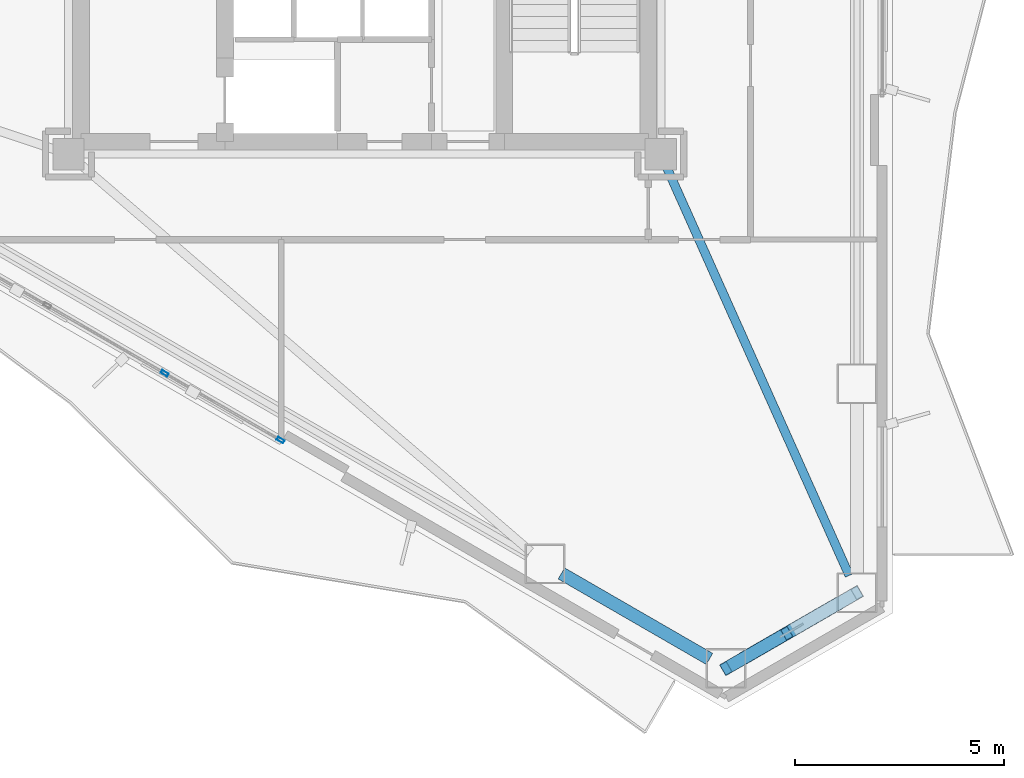
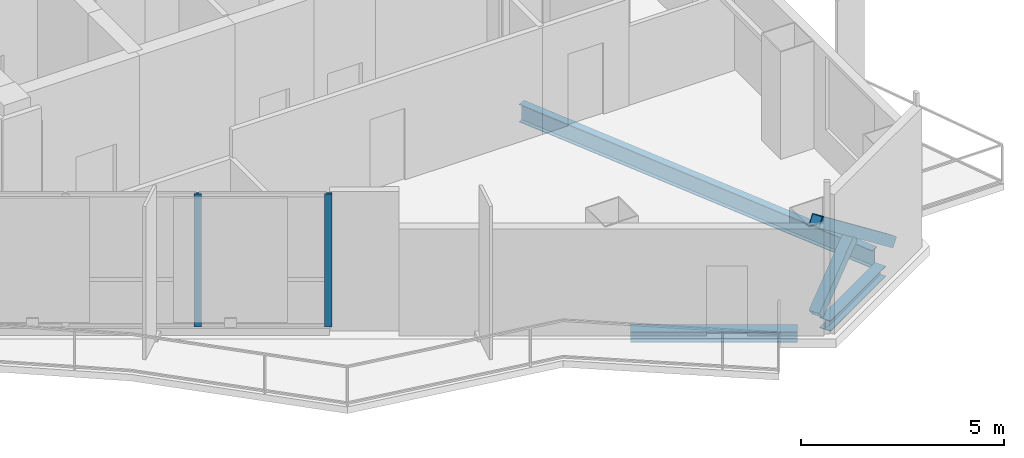
# One storey, part 4 of 18: 4 members, 3 beams, 1 element without a shape of its own.
"""IFC4 building model written with IfcOpenShell, lengths in metres."""

from ifc_helpers import new_model, si_unit, direction, frame, origin, origin_2d, place, context, subcontext, project, spatial, hollow_rectangle, i_section, extrude, material, layer, layer_set, material_profile, profile_set, type_object, element, aggregate, save


model = new_model("IFC4")

# Units and contexts
model_context = context("Model", 3, precision=1e-05, world=origin(), true_north=direction((0.0, 1.0)))
body_context = subcontext(model_context, "Body", "Model", "MODEL_VIEW")
ifc_project = project(units=[si_unit("LENGTHUNIT", "METRE"), si_unit("AREAUNIT", "SQUARE_METRE"), si_unit("VOLUMEUNIT", "CUBIC_METRE"), si_unit("PLANEANGLEUNIT", "RADIAN"), si_unit("MASSUNIT", "GRAM", prefix="KILO")], contexts=[model_context])

# Site, building, storey
site_placement = place(None, origin())
site = spatial("IfcSite", under=ifc_project, at=site_placement, CompositionType="ELEMENT")
building_placement = place(site_placement, origin())
building = spatial("IfcBuilding", under=site, at=building_placement, Name="Mersakhor Tower and Convention Hall", CompositionType="ELEMENT")
storey_placement = place(building_placement, frame((0.0, 0.0, 170.699951171875)))
storey = spatial("IfcBuildingStorey", under=building, at=storey_placement, Name="L47", CompositionType="ELEMENT", Elevation=170.699951171875)

# Beams
ifc_material_1 = material(Name="Steel S355", Category="steel")
ifc_material_profile_1 = material_profile(ifc_material_1, i_section(OverallWidth=0.2099609375, OverallDepth=0.53662109375, WebThickness=0.0107421875, FlangeThickness=0.017333984375, at=origin_2d()), Name="UB 533x210x101")
ifc_profile_set_1 = profile_set([ifc_material_profile_1], Name="Steel S355")
beam_type_1 = type_object("IfcBeamType", Name="BM-FB-533", PredefinedType="BEAM", material=ifc_profile_set_1)
beam_1_placement = place(storey_placement, frame((36.244873046875, 20.1259765625, -0.54833984375), z_axis=(0.408269098517, -0.912861623247, 0.0), x_axis=(0.912861623247, 0.408269098517, 0.0)))
element("IfcBeam", 1, at=beam_1_placement, inside=storey, type_object=beam_type_1, Name="L47 Primary Floor Girder FG-4", PredefinedType="BEAM", context=body_context, shape_type="SweptSolid", body=[
    extrude(i_section(OverallWidth=0.2099609375, OverallDepth=0.53662109375, WebThickness=0.0107421875, FlangeThickness=0.017333984375, at=origin_2d()), origin(), (0.0, 0.0, 1.0), 10.711181640625),
])
ifc_material_2 = material(Name="Steel S355", Category="steel")
ifc_material_profile_2 = material_profile(ifc_material_2, i_section(OverallWidth=0.30908203125, OverallDepth=0.320556640625, WebThickness=0.013916015625, FlangeThickness=0.021728515625, at=origin_2d()), Name="UC 305x305x137")
ifc_profile_set_2 = profile_set([ifc_material_profile_2], Name="Steel S355")
beam_type_2 = type_object("IfcBeamType", Name="BM-SPD-UC305", PredefinedType="SPANDREL", material=ifc_profile_set_2)
beam_2_placement = place(storey_placement, frame((40.409912109375, 9.705078125, -0.440185546875), z_axis=(-0.866050945225, -0.499955758317, 0.0), x_axis=(0.499955758317, -0.866050945225, 0.0)))
element("IfcBeam", 2, at=beam_2_placement, inside=storey, type_object=beam_type_2, Name="L47 Perimeter Spandrel Beam SPB-08", PredefinedType="SPANDREL", context=body_context, shape_type="SweptSolid", body=[
    extrude(i_section(OverallWidth=0.30908203125, OverallDepth=0.320556640625, WebThickness=0.013916015625, FlangeThickness=0.021728515625, at=origin_2d()), origin(), (0.0, 0.0, 1.0), 2.717529296875),
])
beam_3_placement = place(storey_placement, frame((37.268310546875, 8.346435546875, -0.440185546875), z_axis=(-0.86602202897, 0.500005845305, 0.0), x_axis=(-0.500005845305, -0.86602202897, 0.0)))
element("IfcBeam", 3, at=beam_3_placement, inside=storey, type_object=beam_type_2, Name="L47 Perimeter Spandrel Beam SPB-09", PredefinedType="SPANDREL", context=body_context, shape_type="SweptSolid", body=[
    extrude(i_section(OverallWidth=0.30908203125, OverallDepth=0.320556640625, WebThickness=0.013916015625, FlangeThickness=0.021728515625, at=origin_2d()), origin(), (0.0, 0.0, 1.0), 4.1015625),
])

# Curtain wall, members
ifc_material_3 = material(Name="Dark solar low-E aluminium curtain wall", Category="aluminium")
ifc_layer = layer(ifc_material_3, 0.199951171875)
ifc_layer_set = layer_set([ifc_layer], Name="Dark solar low-E aluminium curtain wall")
curtain_wall_type = type_object("IfcCurtainWallType", Name="CW-SYS-05", PredefinedType="USERDEFINED", material=ifc_layer_set)
curtain_wall_placement = place(storey_placement, origin())
curtain_wall = element("IfcCurtainWall", 4, at=curtain_wall_placement, inside=storey, type_object=curtain_wall_type, Name="L47 Dark-Glass Curtain Wall F3-B2", ObjectType="CURTAIN WALL", PredefinedType="USERDEFINED")
ifc_material_4 = material(Name="Anodised aluminium EN AW-6063 T6", Category="aluminium")
ifc_material_profile_3 = material_profile(ifc_material_4, hollow_rectangle(XDim=0.080078125, YDim=0.179931640625, WallThickness=0.008056640625, at=origin_2d()), Name="RHS 180x80x8")
ifc_profile_set_3 = profile_set([ifc_material_profile_3], Name="Anodised aluminium EN AW-6063 T6")
member_type_1 = type_object("IfcMemberType", Name="CWM-180x80", PredefinedType="MULLION", material=ifc_profile_set_3)
member_1_placement = place(storey_placement, frame((26.982177734375, 13.59228515625, 0.199951171875), z_axis=(0.0, 0.0, 1.0), x_axis=(-0.499998484116, -0.866026278978, 0.0)))
member_1 = element("IfcMember", 5, at=member_1_placement, type_object=member_type_1, Name="CW-05 mullion 1", PredefinedType="MULLION", context=body_context, shape_type="SweptSolid", body=[
    extrude(hollow_rectangle(XDim=0.080078125, YDim=0.179931640625, WallThickness=0.008056640625, at=origin_2d()), origin(), (0.0, 0.0, 1.0), 3.989990234375),
])
member_2_placement = place(storey_placement, frame((24.204345703125, 15.196044921875, 0.199951171875), z_axis=(0.0, 0.0, 1.0), x_axis=(-0.499998484116, -0.866026278978, 0.0)))
member_2 = element("IfcMember", 6, at=member_2_placement, type_object=member_type_1, Name="CW-05 mullion 2", PredefinedType="MULLION", context=body_context, shape_type="SweptSolid", body=[
    extrude(hollow_rectangle(XDim=0.080078125, YDim=0.179931640625, WallThickness=0.008056640625, at=origin_2d()), origin(), (0.0, 0.0, 1.0), 3.989990234375),
])
aggregate(curtain_wall, [member_1, member_2])

# Members
ifc_material_5 = material(Name="Steel S355", Category="steel")
ifc_material_profile_4 = material_profile(ifc_material_5, hollow_rectangle(XDim=0.300048828125, YDim=0.300048828125, WallThickness=0.01611328125, at=origin_2d()), Name="SHS 300x300x16")
ifc_profile_set_4 = profile_set([ifc_material_profile_4], Name="Steel S355")
member_type_2 = type_object("IfcMemberType", Name="MB-BRC-SHS300", PredefinedType="BRACE", material=ifc_profile_set_4)
member_3_placement = place(storey_placement, frame((40.8037109375, 9.9326171875, 0.150146484375), z_axis=(-0.685555635189, -0.395818202675, 0.611016711304), x_axis=(0.500011816409, -0.86601858147, 0.0)))
element("IfcMember", 7, at=member_3_placement, inside=storey, type_object=member_type_2, Name="L47 Chamfer Braced Frame Diagonal CB-2A", PredefinedType="BRACE", context=body_context, shape_type="SweptSolid", body=[
    extrude(hollow_rectangle(XDim=0.300048828125, YDim=0.300048828125, WallThickness=0.01611328125, at=origin_2d()), origin(), (0.0, 0.0, 1.0), 4.582275390625),
])
member_4_placement = place(storey_placement, frame((37.662353515625, 8.118896484375, 0.150146484375), z_axis=(0.685578327601, 0.395790701175, 0.611009065061), x_axis=(-0.499973348067, 0.866040790738, 0.0)))
element("IfcMember", 8, at=member_4_placement, inside=storey, type_object=member_type_2, Name="L47 Chamfer Braced Frame Diagonal CB-2B Lower Half", PredefinedType="BRACE", context=body_context, shape_type="SweptSolid", body=[
    extrude(hollow_rectangle(XDim=0.300048828125, YDim=0.300048828125, WallThickness=0.01611328125, at=origin_2d()), origin(), (0.0, 0.0, 1.0), 2.128173828125),
])

save(model, "model.ifc")
